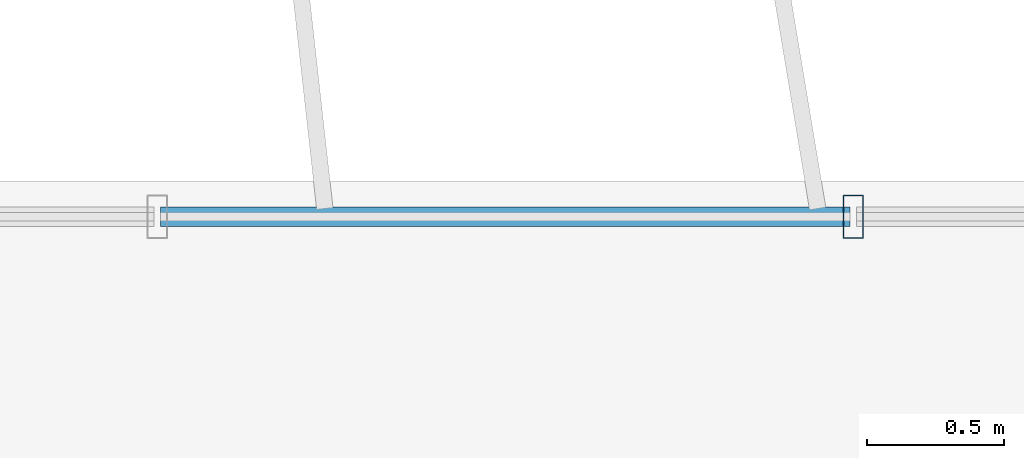
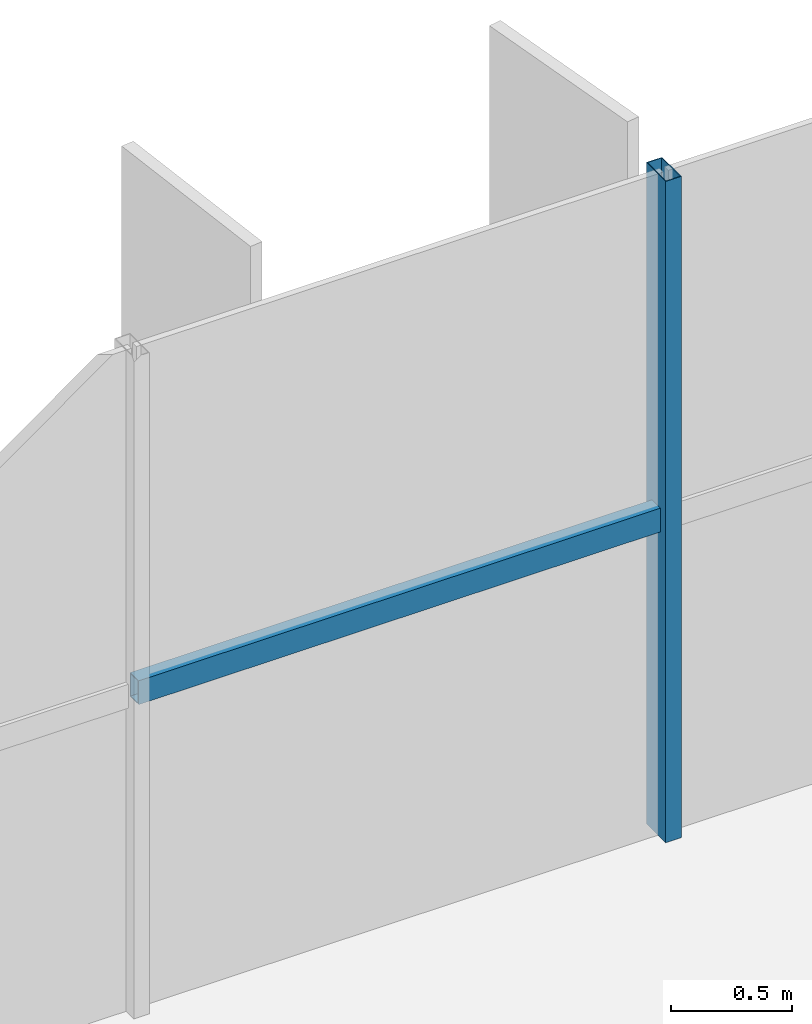
# One storey, part 8 of 21: 2 members, 1 element without a shape of its own.
"""IFC4 building model written with IfcOpenShell, lengths in metres."""

import ifcopenshell
import ifcopenshell.guid

model = None  # the IFC model being written
_history = None  # IfcOwnerHistory: only IFC2X3 demands one
_inside = {}  # id of a spatial element -> (the spatial element, [elements in it])
_under = {}  # id of a project, library or spatial element -> (it, [spatial elements below it])
_declared = {}  # id of a project -> (the project, [libraries it declares])
_typed = {}  # id of a type object -> (the type object, [elements of that type])
_made_of = {}  # id of a material, layer set ... -> (it, [elements and type objects made of it])


def new_model(schema):
    """Start an empty IFC model of exactly this schema.

    Asked for "IFC4X3", IfcOpenShell would pick the latest addendum, in which some entities
    have other attributes; the version numbers below select the first issue.
    IFC2X3 requires an IfcOwnerHistory on every rooted entity: one is made here for all.
    """
    global model, _history
    if schema == "IFC4X3":
        model = ifcopenshell.file(schema_version=(4, 3, 0, 0))
    else:
        model = ifcopenshell.file(schema=schema)
    _inside.clear()
    _under.clear()
    _declared.clear()
    _typed.clear()
    _made_of.clear()
    _history = None
    if model.schema == "IFC2X3":
        org = make("IfcOrganization", Name="unknown")
        user = make(
            "IfcPersonAndOrganization",
            ThePerson=make("IfcPerson", FamilyName="unknown"),
            TheOrganization=org,
        )
        app = make(
            "IfcApplication",
            ApplicationDeveloper=org,
            Version="unknown",
            ApplicationFullName="unknown",
            ApplicationIdentifier="unknown",
        )
        _history = make(
            "IfcOwnerHistory",
            OwningUser=user,
            OwningApplication=app,
            ChangeAction="ADDED",
            CreationDate=0,
        )
    return model


def make(cls, **values):
    """One entity of the class cls with the attributes given. An attribute that is None is left unset."""
    return model.create_entity(
        cls, **{name: value for name, value in values.items() if value is not None}
    )


def rooted(cls, **values):
    """An entity with a GlobalId (a new one), such as an element, a storey or a relation."""
    return make(cls, GlobalId=ifcopenshell.guid.new(), OwnerHistory=_history, **values)


def si_unit(unit_type, name, prefix=None):
    """IfcSIUnit, for example si_unit("LENGTHUNIT", "METRE", prefix="MILLI")."""
    return make("IfcSIUnit", UnitType=unit_type, Prefix=prefix, Name=name)


def assignment(units):
    """IfcUnitAssignment: the units of a project."""
    return None if units is None else make("IfcUnitAssignment", Units=units)


def point(xyz):
    """IfcCartesianPoint."""
    return None if xyz is None else make("IfcCartesianPoint", Coordinates=xyz)


def direction(xyz):
    """IfcDirection."""
    return None if xyz is None else make("IfcDirection", DirectionRatios=xyz)


def frame(location, z_axis=None, x_axis=None):
    """IfcAxis2Placement3D, a coordinate frame: its origin and axes. An axis left out is left unset."""
    return make(
        "IfcAxis2Placement3D",
        Location=point(location),
        Axis=direction(z_axis),
        RefDirection=direction(x_axis),
    )


def frame_2d(location, x_axis=None):
    """IfcAxis2Placement2D, a coordinate frame in the plane: its origin and x axis."""
    return make(
        "IfcAxis2Placement2D", Location=point(location), RefDirection=direction(x_axis)
    )


def origin():
    """The frame at (0, 0, 0) with its axes left unset."""
    return frame((0.0, 0.0, 0.0))


def origin_2d():
    """The frame at (0, 0) in the plane with its x axis left unset."""
    return frame_2d((0.0, 0.0))


def place(relative_to, where):
    """IfcLocalPlacement: puts the frame where relative to a parent placement (None: the world)."""
    return make(
        "IfcLocalPlacement", PlacementRelTo=relative_to, RelativePlacement=where
    )


def context(
    kind, dimensions, precision=None, world=None, true_north=None, identifier=None
):
    """IfcGeometricRepresentationContext, for example the 3D "Model" context."""
    return make(
        "IfcGeometricRepresentationContext",
        ContextIdentifier=identifier,
        ContextType=kind,
        CoordinateSpaceDimension=dimensions,
        Precision=precision,
        WorldCoordinateSystem=world,
        TrueNorth=true_north,
    )


def subcontext(parent, identifier, kind, view, scale=None):
    """IfcGeometricRepresentationSubContext, for example "Body" below "Model"."""
    return make(
        "IfcGeometricRepresentationSubContext",
        ContextIdentifier=identifier,
        ContextType=kind,
        ParentContext=parent,
        TargetScale=scale,
        TargetView=view,
    )


def project(units=None, contexts=None):
    """IfcProject with its units and contexts."""
    return rooted(
        "IfcProject",
        Name="project",
        RepresentationContexts=contexts,
        UnitsInContext=assignment(units),
    )


def spatial(cls, under=None, at=None, **own):
    """A site, building, storey or space (cls), placed at a placement, below another one or the project."""
    s = rooted(cls, ObjectPlacement=at, **own)
    if under is not None:
        _under.setdefault(under.id(), (under, []))[1].append(s)
    return s


def profile(cls, at=None, kind="AREA", **sizes):
    """A parametric profile (cls). Its sizes go by their IFC names, for example OverallWidth=200.0."""
    return make(cls, ProfileType=kind, Position=at, **sizes)


def hollow_rectangle(**sizes):
    """IfcRectangleHollowProfileDef."""
    return profile("IfcRectangleHollowProfileDef", **sizes)


def extrude(swept, where, along, depth):
    """IfcExtrudedAreaSolid: the profile swept, set in the frame where, extruded along a direction by depth."""
    return make(
        "IfcExtrudedAreaSolid",
        SweptArea=swept,
        Position=where,
        ExtrudedDirection=direction(along),
        Depth=depth,
    )


def shape(context_of_items, identifier, shape_type, items):
    """IfcShapeRepresentation: the items that make up one representation, for example the "Body"."""
    return make(
        "IfcShapeRepresentation",
        ContextOfItems=context_of_items,
        RepresentationIdentifier=identifier,
        RepresentationType=shape_type,
        Items=items,
    )


def source(mapping_origin, context_of_items, identifier, shape_type, items):
    """IfcRepresentationMap: a shape defined once, which mapped items show again and again."""
    return make(
        "IfcRepresentationMap",
        MappingOrigin=mapping_origin,
        MappedRepresentation=shape(context_of_items, identifier, shape_type, items),
    )


def transform(
    local_origin,
    x_axis=None,
    y_axis=None,
    z_axis=None,
    scale=None,
    scale2=None,
    scale3=None,
    uniform=True,
):
    """IfcCartesianTransformationOperator3D, or its non-uniform kind. x_axis, y_axis, z_axis: its Axis1, 2, 3."""
    if uniform:
        return make(
            "IfcCartesianTransformationOperator3D",
            Axis1=direction(x_axis),
            Axis2=direction(y_axis),
            LocalOrigin=point(local_origin),
            Scale=scale,
            Axis3=direction(z_axis),
        )
    return make(
        "IfcCartesianTransformationOperator3DnonUniform",
        Axis1=direction(x_axis),
        Axis2=direction(y_axis),
        LocalOrigin=point(local_origin),
        Scale=scale,
        Axis3=direction(z_axis),
        Scale2=scale2,
        Scale3=scale3,
    )


def mapped(mapping_source, mapping_target):
    """IfcMappedItem: shows the shape of a source again, moved by a transform."""
    return make(
        "IfcMappedItem", MappingSource=mapping_source, MappingTarget=mapping_target
    )


def material(Name=None, Category=None):
    """IfcMaterial."""
    return make("IfcMaterial", Name=Name, Category=Category)


def material_profile(
    of_material, cross_section, Name=None, Category=None, Priority=None
):
    """IfcMaterialProfile: a cross section and its material."""
    return make(
        "IfcMaterialProfile",
        Name=Name,
        Material=of_material,
        Profile=cross_section,
        Priority=Priority,
        Category=Category,
    )


def profile_set(profiles, Name=None, composite=None):
    """IfcMaterialProfileSet."""
    return make(
        "IfcMaterialProfileSet",
        Name=Name,
        MaterialProfiles=profiles,
        CompositeProfile=composite,
    )


def made_of(thing, what):
    """Note that an element or type object is made of a material, layer set ...; save() writes the relation."""
    if what is not None:
        _made_of.setdefault(what.id(), (what, []))[1].append(thing)
    return thing


def type_object(cls, material=None, **own):
    """A type object (cls), such as IfcWallType, which elements share."""
    return made_of(rooted(cls, **own), material)


def element(
    cls,
    number,
    at=None,
    inside=None,
    cuts=None,
    type_object=None,
    material=None,
    context=None,
    identifier="Body",
    shape_type=None,
    held_by="IfcProductDefinitionShape",
    body=None,
    shapes=None,
    **own,
):
    """One element of the class cls, such as IfcWall. Its Tag is "e" and its number.

    at: its placement. inside: the storey or other place that contains it. cuts: it is an
    opening in that element (IfcRelVoidsElement). A single representation is given by context,
    identifier, shape_type and body (its items); several are given by shapes. held_by: the class
    of the entity that holds the representations. save() writes the other relations.
    """
    e = rooted(cls, Tag="e%d" % number, ObjectPlacement=at, **own)
    if body is not None:
        shapes = [shape(context, identifier, shape_type, body)]
    if shapes is not None:
        e.Representation = make(held_by, Representations=shapes)
    if inside is not None:
        _inside.setdefault(inside.id(), (inside, []))[1].append(e)
    if cuts is not None:
        rooted(
            "IfcRelVoidsElement", RelatingBuildingElement=cuts, RelatedOpeningElement=e
        )
    if type_object is not None:
        _typed.setdefault(type_object.id(), (type_object, []))[1].append(e)
    return made_of(e, material)


def aggregate(whole, parts):
    """IfcRelAggregates: a whole, such as a stair, and the parts it consists of."""
    return rooted("IfcRelAggregates", RelatingObject=whole, RelatedObjects=parts)


def save(model, path):
    """Write the relations noted so far, then the file.

    IfcRelAggregates (storeys below a building ...), IfcRelContainedInSpatialStructure (elements
    in a storey), IfcRelDefinesByType, IfcRelAssociatesMaterial and IfcRelDeclares: one each for
    every whole, place, type object, material and project.
    """
    for whole, parts in _under.values():
        aggregate(whole, parts)
    for where, things in _inside.values():
        rooted(
            "IfcRelContainedInSpatialStructure",
            RelatedElements=things,
            RelatingStructure=where,
        )
    for kind, things in _typed.values():
        rooted("IfcRelDefinesByType", RelatedObjects=things, RelatingType=kind)
    for what, things in _made_of.values():
        rooted("IfcRelAssociatesMaterial", RelatedObjects=things, RelatingMaterial=what)
    for by, libraries in _declared.values():
        rooted("IfcRelDeclares", RelatingContext=by, RelatedDefinitions=libraries)
    model.write(path)


model = new_model("IFC4")

# Units and contexts
model_context = context("Model", 3, precision=1e-05, world=origin(), true_north=direction((0.0, 1.0)))
body_context = subcontext(model_context, "Body", "Model", "MODEL_VIEW")
ifc_project = project(units=[si_unit("LENGTHUNIT", "METRE"), si_unit("AREAUNIT", "SQUARE_METRE"), si_unit("VOLUMEUNIT", "CUBIC_METRE"), si_unit("PLANEANGLEUNIT", "RADIAN"), si_unit("MASSUNIT", "GRAM", prefix="KILO")], contexts=[model_context])

# Site, building, storey
site_placement = place(None, origin())
site = spatial("IfcSite", under=ifc_project, at=site_placement, CompositionType="ELEMENT")
building_placement = place(site_placement, origin())
building = spatial("IfcBuilding", under=site, at=building_placement, Name="Trelvane Seafront Commons", CompositionType="ELEMENT")
storey_placement = place(building_placement, frame((0.0, 0.0, 37.89990234375)))
storey = spatial("IfcBuildingStorey", under=building, at=storey_placement, Name="L09", CompositionType="ELEMENT", Elevation=37.89990234375)

# Curtain wall, members
ifc_material = material(Name="Anodised pale-silver aluminium", Category="aluminium")
curtain_wall_type = type_object("IfcCurtainWallType", Name="ARCH-CW2-LOWTOWER", PredefinedType="NOTDEFINED", material=ifc_material)
curtain_wall_placement = place(storey_placement, origin())
curtain_wall = element("IfcCurtainWall", 1, at=curtain_wall_placement, inside=storey, type_object=curtain_wall_type, Name="CW-L09-0033", PredefinedType="NOTDEFINED")
ifc_material_profile_1 = material_profile(ifc_material, hollow_rectangle(XDim=0.074951171875, YDim=0.159912109375, WallThickness=0.00390625, at=origin_2d()), Name="MULL-75x160x4")
ifc_profile_set_1 = profile_set([ifc_material_profile_1], Name="Anodised pale-silver aluminium")
member_type_1 = type_object("IfcMemberType", Name="ARCH-CW-MULL-160", PredefinedType="MULLION", material=ifc_profile_set_1)
shared_shape_1 = source(origin(), body_context, "Body", "SweptSolid", [
    extrude(hollow_rectangle(XDim=0.074951171875, YDim=0.159912109375, WallThickness=0.00390625, at=origin_2d()), origin(), (0.0, 0.0, 1.0), 3.340087890625),
])
member_1_placement = place(storey_placement, frame((35.929443359375, 48.3701171875, 0.0), z_axis=(0.0, 0.0, 1.0), x_axis=(1.0, 0.0, 0.0)))
member_1 = element("IfcMember", 2, at=member_1_placement, type_object=member_type_1, Name="CW-L09-0033-M08", PredefinedType="MULLION", context=body_context, shape_type="MappedRepresentation", body=[
    mapped(shared_shape_1, transform((0.0, 0.0, 0.0), x_axis=(1.0, 0.0, 0.0), y_axis=(0.0, 1.0, 0.0), z_axis=(0.0, 0.0, 1.0), scale=1.0)),
])
ifc_material_profile_2 = material_profile(ifc_material, hollow_rectangle(XDim=0.070068359375, YDim=0.1201171875, WallThickness=0.00390625, at=origin_2d()), Name="TRAN-70x120x4")
ifc_profile_set_2 = profile_set([ifc_material_profile_2], Name="Anodised pale-silver aluminium")
member_type_2 = type_object("IfcMemberType", Name="ARCH-CW-TRAN-120", PredefinedType="USERDEFINED", material=ifc_profile_set_2)
shared_shape_2 = source(origin(), body_context, "Body", "SweptSolid", [
    extrude(hollow_rectangle(XDim=0.070068359375, YDim=0.1201171875, WallThickness=0.00390625, at=origin_2d()), origin(), (0.0, 0.0, 1.0), 2.517333984375),
])
member_2_placement = place(storey_placement, frame((33.400146484375, 48.3701171875, 1.60302734375), z_axis=(1.0, 0.0, 0.0), x_axis=(0.0, 1.0, 0.0)))
member_2 = element("IfcMember", 3, at=member_2_placement, type_object=member_type_2, Name="CW-L09-0033-T07", ObjectType="TRANSOM", PredefinedType="USERDEFINED", context=body_context, shape_type="MappedRepresentation", body=[
    mapped(shared_shape_2, transform((0.0, 0.0, 0.0), x_axis=(1.0, 0.0, 0.0), y_axis=(0.0, 1.0, 0.0), z_axis=(0.0, 0.0, 1.0), scale=1.0)),
])
aggregate(curtain_wall, [member_1, member_2])

save(model, "model.ifc")
